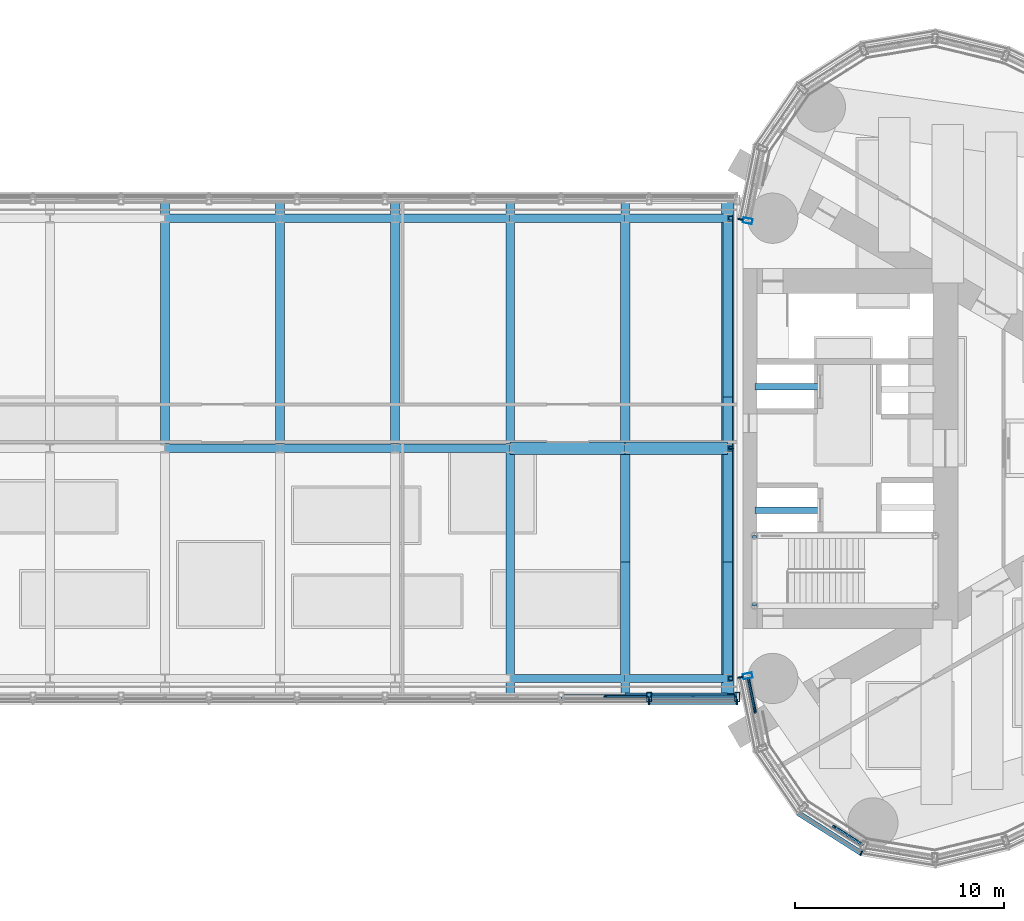
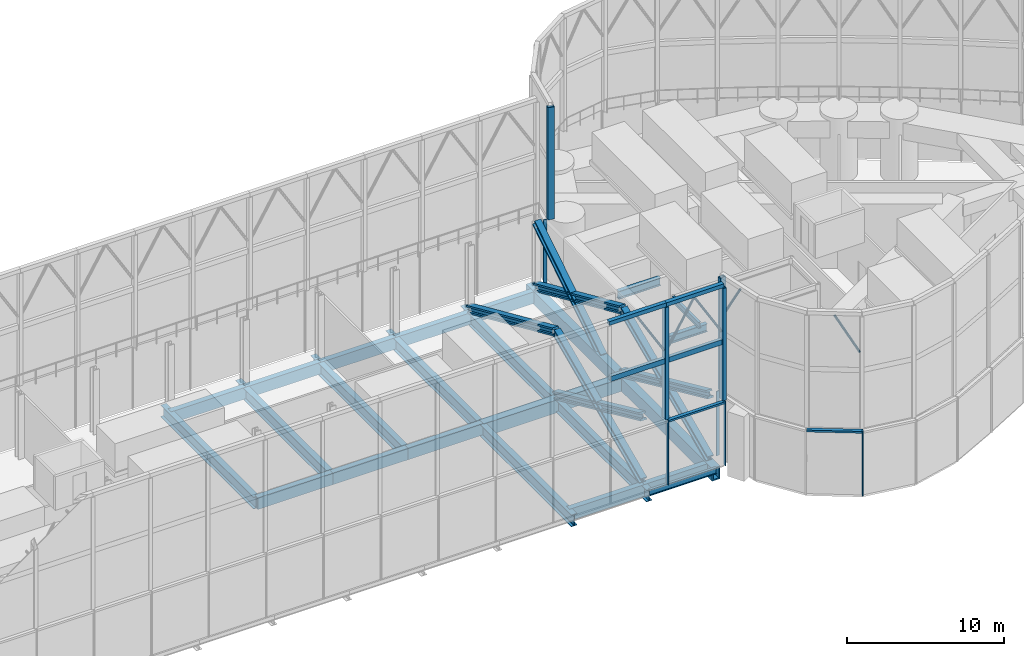
# One storey, part 15 of 33: 27 members, 25 beams, 4 elements without a shape of their own.
"""IFC4 building model written with IfcOpenShell, lengths in metres."""

from ifc_helpers import new_model, si_unit, direction, frame, origin, origin_2d, place, context, subcontext, project, spatial, rectangle, hollow_rectangle, hollow_circle, i_section, extrude, material, material_profile, profile_set, type_object, element, aggregate, save


model = new_model("IFC4")

# Units and contexts
model_context = context("Model", 3, precision=1e-05, world=origin(), true_north=direction((0.0, 1.0)))
body_context = subcontext(model_context, "Body", "Model", "MODEL_VIEW")
ifc_project = project(units=[si_unit("LENGTHUNIT", "METRE"), si_unit("AREAUNIT", "SQUARE_METRE"), si_unit("VOLUMEUNIT", "CUBIC_METRE"), si_unit("PLANEANGLEUNIT", "RADIAN"), si_unit("MASSUNIT", "GRAM", prefix="KILO")], contexts=[model_context])

# Site, building, storey
site_placement = place(None, origin())
site = spatial("IfcSite", under=ifc_project, at=site_placement, CompositionType="ELEMENT")
building_placement = place(site_placement, origin())
building = spatial("IfcBuilding", under=site, at=building_placement, Name="Lancet Gate Hotel", CompositionType="ELEMENT")
storey_placement = place(building_placement, frame((0.0, 0.0, 268.300048828125)))
storey = spatial("IfcBuildingStorey", under=building, at=storey_placement, Name="L70", CompositionType="ELEMENT", Elevation=268.300048828125)

# Curtain wall, members
ifc_material_1 = material(Name="Aluminium curtain wall", Category="aluminium")
curtain_wall_type_1 = type_object("IfcCurtainWallType", Name="Lantern crown glazing", PredefinedType="USERDEFINED", material=ifc_material_1)
curtain_wall_1_placement = place(storey_placement, origin())
curtain_wall_1 = element("IfcCurtainWall", 1, at=curtain_wall_1_placement, inside=storey, type_object=curtain_wall_type_1, Name="T2 L70 curtain wall 1", ObjectType="LANTERN GLAZING", PredefinedType="USERDEFINED")
ifc_material_2 = material(Name="Aluminium mullion", Category="aluminium")
ifc_material_profile_1 = material_profile(ifc_material_2, rectangle(XDim=0.06494140625, YDim=0.25, at=origin_2d()), Name="MULLION 65x250")
ifc_profile_set_1 = profile_set([ifc_material_profile_1], Name="Aluminium mullion")
member_type_1 = type_object("IfcMemberType", Name="Aluminium mullion 65x250", PredefinedType="MULLION", material=ifc_profile_set_1)
member_1_placement = place(storey_placement, frame((27.5, -10.947998046875, 0.0), z_axis=(0.0, 0.0, 1.0), x_axis=(0.199533486841, -0.979891008036, 0.0)))
member_1 = element("IfcMember", 2, at=member_1_placement, type_object=member_type_1, Name="T2 L70 curtain wall 1 mullion 1", PredefinedType="MULLION", context=body_context, shape_type="SweptSolid", body=[
    extrude(rectangle(XDim=0.06494140625, YDim=0.25, at=origin_2d()), origin(), (0.0, 0.0, 1.0), 5.0),
])
member_2_placement = place(storey_placement, frame((33.283203125, -19.353515625, 0.0), z_axis=(0.0, 0.0, 1.0), x_axis=(0.93394321776, -0.357421412343, 0.0)))
member_2 = element("IfcMember", 3, at=member_2_placement, type_object=member_type_1, Name="T2 L70 curtain wall 1 mullion 4", PredefinedType="MULLION", context=body_context, shape_type="SweptSolid", body=[
    extrude(rectangle(XDim=0.06494140625, YDim=0.25, at=origin_2d()), origin(), (0.0, 0.0, 1.0), 5.0),
])
member_3_placement = place(storey_placement, frame((27.5, 10.947998046875, 0.0), z_axis=(0.0, 0.0, 1.0), x_axis=(-0.199533486841, -0.979891008036, 0.0)))
member_3 = element("IfcMember", 4, at=member_3_placement, type_object=member_type_1, Name="T2 L70 curtain wall 1 mullion 27", PredefinedType="MULLION", context=body_context, shape_type="SweptSolid", body=[
    extrude(rectangle(XDim=0.06494140625, YDim=0.25, at=origin_2d()), origin(), (0.0, 0.0, 1.0), 5.0),
])

curtain_wall_2_placement = place(storey_placement, origin())
curtain_wall_2 = element("IfcCurtainWall", 5, at=curtain_wall_2_placement, inside=storey, type_object=curtain_wall_type_1, Name="Bridge block L70 curtain wall S", ObjectType="LANTERN GLAZING", PredefinedType="USERDEFINED")
member_4_placement = place(storey_placement, frame((23.142333984375, -12.1201171875, 0.0), z_axis=(0.0, 0.0, 1.0), x_axis=(1.0, 0.0, 0.0)))
member_4 = element("IfcMember", 6, at=member_4_placement, type_object=member_type_1, Name="Bridge block L70 curtain wall S mullion 13", PredefinedType="MULLION", context=body_context, shape_type="SweptSolid", body=[
    extrude(rectangle(XDim=0.06494140625, YDim=0.25, at=origin_2d()), origin(), (0.0, 0.0, 1.0), 5.0),
])
member_5_placement = place(storey_placement, frame((27.35009765625, -12.1201171875, 0.0), z_axis=(0.0, 0.0, 1.0), x_axis=(1.0, 0.0, 0.0)))
member_5 = element("IfcMember", 7, at=member_5_placement, type_object=member_type_1, Name="Bridge block L70 curtain wall S mullion 14", PredefinedType="MULLION", context=body_context, shape_type="SweptSolid", body=[
    extrude(rectangle(XDim=0.06494140625, YDim=0.25, at=origin_2d()), origin(), (0.0, 0.0, 1.0), 5.0),
])

# Member
ifc_material_3 = material(Name="Aluminium transom", Category="aluminium")
ifc_material_profile_2 = material_profile(ifc_material_3, rectangle(XDim=0.25, YDim=0.14990234375, at=origin_2d()), Name="TRANSOM 250x150")
ifc_profile_set_2 = profile_set([ifc_material_profile_2], Name="Aluminium transom")
member_type_2 = type_object("IfcMemberType", Name="Aluminium transom 250x150", PredefinedType="USERDEFINED", material=ifc_profile_set_2)
member_6_placement = place(storey_placement, frame((30.27978515625, -17.44384765625, 4.925048828125), z_axis=(0.84385811281, -0.536566384938, 0.0), x_axis=(0.536566384938, 0.84385811281, 0.0)))
member_6 = element("IfcMember", 8, at=member_6_placement, type_object=member_type_2, Name="T2 L70 curtain wall 1 transom 3", ObjectType="TRANSOM", PredefinedType="USERDEFINED", context=body_context, shape_type="SweptSolid", body=[
    extrude(rectangle(XDim=0.25, YDim=0.14990234375, at=origin_2d()), origin(), (0.0, 0.0, 1.0), 3.52685546875),
])

aggregate(curtain_wall_1, [member_1, member_2, member_3, member_6])

member_7_placement = place(storey_placement, frame((23.1748046875, -12.1201171875, 4.925048828125), z_axis=(1.0, 0.0, 0.0), x_axis=(0.0, 1.0, 0.0)))
member_7 = element("IfcMember", 9, at=member_7_placement, type_object=member_type_2, Name="Bridge block L70 curtain wall S transom 13", ObjectType="TRANSOM", PredefinedType="USERDEFINED", context=body_context, shape_type="SweptSolid", body=[
    extrude(rectangle(XDim=0.25, YDim=0.14990234375, at=origin_2d()), origin(), (0.0, 0.0, 1.0), 4.142578125),
])

aggregate(curtain_wall_2, [member_4, member_5, member_7])

# Members
ifc_material_4 = material(Name="Steel S460", Category="steel")
ifc_material_profile_3 = material_profile(ifc_material_4, i_section(OverallWidth=0.4541015625, OverallDepth=0.569091796875, WebThickness=0.077880859375, FlangeThickness=0.125, FilletRadius=0.02001953125, at=origin_2d()), Name="HD 400x1086")
ifc_profile_set_3 = profile_set([ifc_material_profile_3], Name="Steel S460")
member_type_3 = type_object("IfcMemberType", Name="Block brace HD 400x1086", PredefinedType="BRACE", material=ifc_profile_set_3)
member_8_placement = place(storey_placement, frame((26.89990234375, -11.0, 0.0), z_axis=(0.0, 0.913471794333, 0.406902053273), x_axis=(-1.0, 0.0, 0.0)))
element("IfcMember", 10, at=member_8_placement, inside=storey, type_object=member_type_3, Name="Block brace EY11 L70", PredefinedType="BRACE", context=body_context, shape_type="SweptSolid", body=[
    extrude(i_section(OverallWidth=0.4541015625, OverallDepth=0.569091796875, WebThickness=0.077880859375, FlangeThickness=0.125, FilletRadius=0.02001953125, at=origin_2d()), origin(), (0.0, 0.0, 1.0), 12.0419921875),
])
member_9_placement = place(storey_placement, frame((26.89990234375, 0.0, 0.0), z_axis=(0.0, -0.910366477463, 0.413802944301), x_axis=(1.0, 0.0, 0.0)))
element("IfcMember", 11, at=member_9_placement, inside=storey, type_object=member_type_3, Name="Block brace EY12 L70", PredefinedType="BRACE", context=body_context, shape_type="SweptSolid", body=[
    extrude(i_section(OverallWidth=0.4541015625, OverallDepth=0.569091796875, WebThickness=0.077880859375, FlangeThickness=0.125, FilletRadius=0.02001953125, at=origin_2d()), origin(), (0.0, 0.0, 1.0), 12.0830078125),
])
for number, where, z_axis, x_axis, name in (
    (12, (26.89990234375, 11.0, 0.0), (0.0, -0.913471794333, 0.406902053273), (1.0, 0.0, 0.0), "Block brace EY22 L70"),
    (13, (22.0, -11.0, 0.0), (0.0, 0.913471794333, 0.406902053273), (-1.0, 0.0, 0.0), "Block brace EI11 L70"),
):
    element("IfcMember", number, at=place(storey_placement, frame(where, z_axis=z_axis, x_axis=x_axis)), inside=storey, type_object=member_type_3, Name=name, PredefinedType="BRACE", context=body_context, shape_type="SweptSolid", body=[
        extrude(i_section(OverallWidth=0.4541015625, OverallDepth=0.569091796875, WebThickness=0.077880859375, FlangeThickness=0.125, FilletRadius=0.02001953125, at=origin_2d()), origin(), (0.0, 0.0, 1.0), 12.0419921875),
    ])
member_10_placement = place(storey_placement, frame((22.0, 0.0, 0.0), z_axis=(0.0, -0.910366477463, 0.413802944301), x_axis=(1.0, 0.0, 0.0)))
element("IfcMember", 14, at=member_10_placement, inside=storey, type_object=member_type_3, Name="Block brace EI12 L70", PredefinedType="BRACE", context=body_context, shape_type="SweptSolid", body=[
    extrude(i_section(OverallWidth=0.4541015625, OverallDepth=0.569091796875, WebThickness=0.077880859375, FlangeThickness=0.125, FilletRadius=0.02001953125, at=origin_2d()), origin(), (0.0, 0.0, 1.0), 12.0830078125),
])
member_11_placement = place(storey_placement, frame((22.0, 11.0, 0.0), z_axis=(0.0, -0.913471794333, 0.406902053273), x_axis=(1.0, 0.0, 0.0)))
element("IfcMember", 15, at=member_11_placement, inside=storey, type_object=member_type_3, Name="Block brace EI22 L70", PredefinedType="BRACE", context=body_context, shape_type="SweptSolid", body=[
    extrude(i_section(OverallWidth=0.4541015625, OverallDepth=0.569091796875, WebThickness=0.077880859375, FlangeThickness=0.125, FilletRadius=0.02001953125, at=origin_2d()), origin(), (0.0, 0.0, 1.0), 12.0419921875),
])
member_12_placement = place(storey_placement, frame((26.89990234375, 2.60009765625, -0.300048828125), z_axis=(0.0, 0.845723043987, 0.533622088064), x_axis=(-1.0, 0.0, 0.0)))
element("IfcMember", 16, at=member_12_placement, inside=storey, type_object=member_type_3, Name="Block brace EY23 L70", PredefinedType="BRACE", context=body_context, shape_type="SweptSolid", body=[
    extrude(i_section(OverallWidth=0.4541015625, OverallDepth=0.569091796875, WebThickness=0.077880859375, FlangeThickness=0.125, FilletRadius=0.02001953125, at=origin_2d()), origin(), (0.0, 0.0, 1.0), 9.93212890625),
])

# Beams
ifc_material_5 = material(Name="Steel S355", Category="steel")
ifc_material_profile_4 = material_profile(ifc_material_5, i_section(OverallWidth=0.19140625, OverallDepth=0.4599609375, WebThickness=0.010009765625, FlangeThickness=0.01611328125, FilletRadius=0.01025390625, at=origin_2d()), Name="UKB 457x191x82")
ifc_profile_set_4 = profile_set([ifc_material_profile_4], Name="Steel S355")
beam_type_1 = type_object("IfcBeamType", Name="Block edge beam UKB 457x191x82", PredefinedType="SPANDREL", material=ifc_profile_set_4)
beam_1_placement = place(storey_placement, frame((22.0, -11.800048828125, -0.429931640625), z_axis=(1.0, 0.0, 0.0), x_axis=(0.0, 1.0, 0.0)))
element("IfcBeam", 17, at=beam_1_placement, inside=storey, type_object=beam_type_1, Name="Block edge beam S 9-10 L70", PredefinedType="SPANDREL", context=body_context, shape_type="SweptSolid", body=[
    extrude(i_section(OverallWidth=0.19140625, OverallDepth=0.4599609375, WebThickness=0.010009765625, FlangeThickness=0.01611328125, FilletRadius=0.01025390625, at=origin_2d()), origin(), (0.0, 0.0, 1.0), 4.89990234375),
])
ifc_material_6 = material(Name="Steel S460QL", Category="steel")
ifc_material_profile_5 = material_profile(ifc_material_6, hollow_rectangle(XDim=0.60009765625, YDim=1.0, WallThickness=0.10009765625, at=origin_2d()), Name="BOX 1000x600x100")
ifc_profile_set_5 = profile_set([ifc_material_profile_5], Name="Steel S460QL")
beam_type_2 = type_object("IfcBeamType", Name="Block end beam BOX 1000x600x100", PredefinedType="BEAM", material=ifc_profile_set_5)
for number, where, z_axis, x_axis, name in (
    (18, (26.89990234375, -11.800048828125, -0.699951171875), (0.0, 1.0, 0.0), (-1.0, 0.0, 0.0), "Block beam x10 S L70"),
    (19, (26.89990234375, 0.0, -0.699951171875), (0.0, 1.0, 0.0), (-1.0, 0.0, 0.0), "Block beam x10 N L70"),
):
    element("IfcBeam", number, at=place(storey_placement, frame(where, z_axis=z_axis, x_axis=x_axis)), inside=storey, type_object=beam_type_2, Name=name, PredefinedType="BEAM", context=body_context, shape_type="SweptSolid", body=[
        extrude(hollow_rectangle(XDim=0.60009765625, YDim=1.0, WallThickness=0.10009765625, at=origin_2d()), origin(), (0.0, 0.0, 1.0), 11.800048828125),
    ])
ifc_material_7 = material(Name="Steel S355", Category="steel")
ifc_material_profile_6 = material_profile(ifc_material_7, i_section(OverallWidth=0.42041015625, OverallDepth=0.9208984375, WebThickness=0.021484375, FlangeThickness=0.03662109375, FilletRadius=0.024169921875, at=origin_2d()), Name="UKB 914x419x388")
ifc_profile_set_6 = profile_set([ifc_material_profile_6], Name="Steel S355")
beam_type_3 = type_object("IfcBeamType", Name="Block plant floor beam UKB 914x419x388", PredefinedType="JOIST", material=ifc_profile_set_6)
for number, where, z_axis, x_axis, name in (
    (20, (0.0, 0.0, -0.66064453125), (0.0, 1.0, 0.0), (-1.0, 0.0, 0.0), "Block beam x5 N L70"),
    (21, (5.5, 0.0, -0.66064453125), (0.0, 1.0, 0.0), (-1.0, 0.0, 0.0), "Block beam x6 N L70"),
    (22, (11.0, 0.0, -0.66064453125), (0.0, 1.0, 0.0), (-1.0, 0.0, 0.0), "Block beam x7 N L70"),
    (23, (16.5, -11.800048828125, -0.66064453125), (0.0, 1.0, 0.0), (-1.0, 0.0, 0.0), "Block beam x8 S L70"),
    (24, (16.5, 0.0, -0.66064453125), (0.0, 1.0, 0.0), (-1.0, 0.0, 0.0), "Block beam x8 N L70"),
    (25, (22.0, -11.800048828125, -0.66064453125), (0.0, 1.0, 0.0), (-1.0, 0.0, 0.0), "Block beam x9 S L70"),
    (26, (22.0, 0.0, -0.66064453125), (0.0, 1.0, 0.0), (-1.0, 0.0, 0.0), "Block beam x9 N L70"),
):
    element("IfcBeam", number, at=place(storey_placement, frame(where, z_axis=z_axis, x_axis=x_axis)), inside=storey, type_object=beam_type_3, Name=name, PredefinedType="JOIST", context=body_context, shape_type="SweptSolid", body=[
        extrude(i_section(OverallWidth=0.42041015625, OverallDepth=0.9208984375, WebThickness=0.021484375, FlangeThickness=0.03662109375, FilletRadius=0.024169921875, at=origin_2d()), origin(), (0.0, 0.0, 1.0), 11.800048828125),
    ])
ifc_material_8 = material(Name="Steel S460QL", Category="steel")
ifc_material_profile_7 = material_profile(ifc_material_8, hollow_rectangle(XDim=0.60009765625, YDim=1.0, WallThickness=0.080078125, at=origin_2d()), Name="BOX 1000x600x80")
ifc_profile_set_7 = profile_set([ifc_material_profile_7], Name="Steel S460QL")
beam_type_4 = type_object("IfcBeamType", Name="Block primary beam BOX 1000x600x80", PredefinedType="BEAM", material=ifc_profile_set_7)
beam_2_placement = place(storey_placement, frame((16.5, 0.0, -0.699951171875), z_axis=(1.0, 0.0, 0.0), x_axis=(0.0, 1.0, 0.0)))
element("IfcBeam", 27, at=beam_2_placement, inside=storey, type_object=beam_type_4, Name="Block primary beam M 9 L70", PredefinedType="BEAM", context=body_context, shape_type="SweptSolid", body=[
    extrude(hollow_rectangle(XDim=0.60009765625, YDim=1.0, WallThickness=0.080078125, at=origin_2d()), origin(), (0.0, 0.0, 1.0), 5.5),
])
beam_3_placement = place(storey_placement, frame((22.0, 0.0, -0.699951171875), z_axis=(1.0, 0.0, 0.0), x_axis=(0.0, 1.0, 0.0)))
element("IfcBeam", 28, at=beam_3_placement, inside=storey, type_object=beam_type_4, Name="Block primary beam M 10 L70", PredefinedType="BEAM", context=body_context, shape_type="SweptSolid", body=[
    extrude(hollow_rectangle(XDim=0.60009765625, YDim=1.0, WallThickness=0.080078125, at=origin_2d()), origin(), (0.0, 0.0, 1.0), 4.89990234375),
])
ifc_material_9 = material(Name="Steel S355", Category="steel")
ifc_material_profile_8 = material_profile(ifc_material_9, hollow_rectangle(XDim=0.39990234375, YDim=0.89990234375, WallThickness=0.0400390625, at=origin_2d()), Name="BOX 900x400x40")
ifc_profile_set_8 = profile_set([ifc_material_profile_8], Name="Steel S355")
beam_type_5 = type_object("IfcBeamType", Name="Block primary beam BOX 900x400x40", PredefinedType="BEAM", material=ifc_profile_set_8)
beam_4_placement = place(storey_placement, frame((16.5, -11.0, -0.650146484375), z_axis=(1.0, 0.0, 0.0), x_axis=(0.0, 1.0, 0.0)))
element("IfcBeam", 29, at=beam_4_placement, inside=storey, type_object=beam_type_5, Name="Block primary beam S 9 L70", PredefinedType="BEAM", context=body_context, shape_type="SweptSolid", body=[
    extrude(hollow_rectangle(XDim=0.39990234375, YDim=0.89990234375, WallThickness=0.0400390625, at=origin_2d()), origin(), (0.0, 0.0, 1.0), 5.5),
])
beam_5_placement = place(storey_placement, frame((22.0, -11.0, -0.650146484375), z_axis=(1.0, 0.0, 0.0), x_axis=(0.0, 1.0, 0.0)))
element("IfcBeam", 30, at=beam_5_placement, inside=storey, type_object=beam_type_5, Name="Block primary beam S 10 L70", PredefinedType="BEAM", context=body_context, shape_type="SweptSolid", body=[
    extrude(hollow_rectangle(XDim=0.39990234375, YDim=0.89990234375, WallThickness=0.0400390625, at=origin_2d()), origin(), (0.0, 0.0, 1.0), 4.89990234375),
])
for number, where, z_axis, x_axis, name in (
    (31, (0.0, 0.0, -0.650146484375), (1.0, 0.0, 0.0), (0.0, 1.0, 0.0), "Block primary beam M 6 L70"),
    (32, (5.5, 0.0, -0.650146484375), (1.0, 0.0, 0.0), (0.0, 1.0, 0.0), "Block primary beam M 7 L70"),
    (33, (11.0, 0.0, -0.650146484375), (1.0, 0.0, 0.0), (0.0, 1.0, 0.0), "Block primary beam M 8 L70"),
    (34, (0.0, 11.0, -0.650146484375), (1.0, 0.0, 0.0), (0.0, 1.0, 0.0), "Block primary beam N 6 L70"),
    (35, (5.5, 11.0, -0.650146484375), (1.0, 0.0, 0.0), (0.0, 1.0, 0.0), "Block primary beam N 7 L70"),
    (36, (11.0, 11.0, -0.650146484375), (1.0, 0.0, 0.0), (0.0, 1.0, 0.0), "Block primary beam N 8 L70"),
    (37, (16.5, 11.0, -0.650146484375), (1.0, 0.0, 0.0), (0.0, 1.0, 0.0), "Block primary beam N 9 L70"),
):
    element("IfcBeam", number, at=place(storey_placement, frame(where, z_axis=z_axis, x_axis=x_axis)), inside=storey, type_object=beam_type_5, Name=name, PredefinedType="BEAM", context=body_context, shape_type="SweptSolid", body=[
        extrude(hollow_rectangle(XDim=0.39990234375, YDim=0.89990234375, WallThickness=0.0400390625, at=origin_2d()), origin(), (0.0, 0.0, 1.0), 5.5),
    ])
beam_6_placement = place(storey_placement, frame((22.0, 11.0, -0.650146484375), z_axis=(1.0, 0.0, 0.0), x_axis=(0.0, 1.0, 0.0)))
element("IfcBeam", 38, at=beam_6_placement, inside=storey, type_object=beam_type_5, Name="Block primary beam N 10 L70", PredefinedType="BEAM", context=body_context, shape_type="SweptSolid", body=[
    extrude(hollow_rectangle(XDim=0.39990234375, YDim=0.89990234375, WallThickness=0.0400390625, at=origin_2d()), origin(), (0.0, 0.0, 1.0), 4.89990234375),
])
ifc_material_10 = material(Name="Steel S355", Category="steel")
ifc_material_profile_9 = material_profile(ifc_material_10, i_section(OverallWidth=0.19140625, OverallDepth=0.4599609375, WebThickness=0.010009765625, FlangeThickness=0.01611328125, FilletRadius=0.01025390625, at=origin_2d()), Name="UKB 457x191x82")
ifc_profile_set_9 = profile_set([ifc_material_profile_9], Name="Steel S355")
beam_type_6 = type_object("IfcBeamType", Name="Head-house beam UKB 457x191x82", PredefinedType="BEAM", material=ifc_profile_set_9)
beam_7_placement = place(storey_placement, frame((28.175048828125, -7.52490234375, 7.77001953125), z_axis=(0.0, 1.0, 0.0), x_axis=(-1.0, 0.0, 0.0)))
element("IfcBeam", 39, at=beam_7_placement, inside=storey, type_object=beam_type_6, Name="T2 head-house beam front", PredefinedType="BEAM", context=body_context, shape_type="SweptSolid", body=[
    extrude(i_section(OverallWidth=0.19140625, OverallDepth=0.4599609375, WebThickness=0.010009765625, FlangeThickness=0.01611328125, FilletRadius=0.01025390625, at=origin_2d()), origin(), (0.0, 0.0, 1.0), 3.349853515625),
])

# Curtain wall, members
ifc_material_11 = material(Name="Steel framed lantern screen", Category="steel")
curtain_wall_type_2 = type_object("IfcCurtainWallType", Name="Lantern screen", PredefinedType="USERDEFINED", material=ifc_material_11)
curtain_wall_3_placement = place(storey_placement, origin())
curtain_wall_3 = element("IfcCurtainWall", 40, at=curtain_wall_3_placement, inside=storey, type_object=curtain_wall_type_2, Name="Bridge block lantern screen S", ObjectType="LANTERN SCREEN", PredefinedType="USERDEFINED")
ifc_material_12 = material(Name="Steel S355", Category="steel")
ifc_material_profile_10 = material_profile(ifc_material_12, hollow_rectangle(XDim=0.300048828125, YDim=0.300048828125, WallThickness=0.012451171875, at=origin_2d()), Name="RHS 300x300x12.5")
ifc_profile_set_10 = profile_set([ifc_material_profile_10], Name="Steel S355")
member_type_4 = type_object("IfcMemberType", Name="Lantern cap beam RHS 300x300x12.5", PredefinedType="USERDEFINED", material=ifc_profile_set_10)
member_13_placement = place(storey_placement, frame((18.9345703125, -11.8798828125, 13.849853515625), z_axis=(1.0, 0.0, 0.0), x_axis=(0.0, 1.0, 0.0)))
member_13 = element("IfcMember", 41, at=member_13_placement, type_object=member_type_4, Name="Bridge block lantern screen S cap 12", ObjectType="LANTERN FRAME", PredefinedType="USERDEFINED", context=body_context, shape_type="SweptSolid", body=[
    extrude(hollow_rectangle(XDim=0.300048828125, YDim=0.300048828125, WallThickness=0.012451171875, at=origin_2d()), origin(), (0.0, 0.0, 1.0), 4.207763671875),
])
member_14_placement = place(storey_placement, frame((23.142333984375, -11.8798828125, 13.849853515625), z_axis=(1.0, 0.0, 0.0), x_axis=(0.0, 1.0, 0.0)))
member_14 = element("IfcMember", 42, at=member_14_placement, type_object=member_type_4, Name="Bridge block lantern screen S cap 13", ObjectType="LANTERN FRAME", PredefinedType="USERDEFINED", context=body_context, shape_type="SweptSolid", body=[
    extrude(hollow_rectangle(XDim=0.300048828125, YDim=0.300048828125, WallThickness=0.012451171875, at=origin_2d()), origin(), (0.0, 0.0, 1.0), 4.207763671875),
])

curtain_wall_4_placement = place(storey_placement, origin())
curtain_wall_4 = element("IfcCurtainWall", 43, at=curtain_wall_4_placement, inside=storey, type_object=curtain_wall_type_2, Name="T2 lantern screen 1", ObjectType="LANTERN SCREEN", PredefinedType="USERDEFINED")
ifc_material_13 = material(Name="Steel S355", Category="steel")
ifc_material_profile_11 = material_profile(ifc_material_13, hollow_rectangle(XDim=0.25, YDim=0.449951171875, WallThickness=0.01611328125, at=origin_2d()), Name="RHS 450x250x16")
ifc_profile_set_11 = profile_set([ifc_material_profile_11], Name="Steel S355")
member_type_5 = type_object("IfcMemberType", Name="Lantern frame post RHS 450x250x16", PredefinedType="USERDEFINED", material=ifc_profile_set_11)
member_15_placement = place(storey_placement, frame((27.852783203125, -10.876220703125, 5.0), z_axis=(0.0, 0.0, 1.0), x_axis=(0.199533486841, -0.979891008036, 0.0)))
member_15 = element("IfcMember", 44, at=member_15_placement, type_object=member_type_5, Name="T2 lantern screen 1 frame post 1", ObjectType="LANTERN FRAME", PredefinedType="USERDEFINED", context=body_context, shape_type="SweptSolid", body=[
    extrude(hollow_rectangle(XDim=0.25, YDim=0.449951171875, WallThickness=0.01611328125, at=origin_2d()), origin(), (0.0, 0.0, 1.0), 8.699951171875),
])
member_16_placement = place(storey_placement, frame((27.852783203125, 10.876220703125, 5.0), z_axis=(0.0, 0.0, 1.0), x_axis=(-0.199533486841, -0.979891008036, 0.0)))
member_16 = element("IfcMember", 45, at=member_16_placement, type_object=member_type_5, Name="T2 lantern screen 1 frame post 27", ObjectType="LANTERN FRAME", PredefinedType="USERDEFINED", context=body_context, shape_type="SweptSolid", body=[
    extrude(hollow_rectangle(XDim=0.25, YDim=0.449951171875, WallThickness=0.01611328125, at=origin_2d()), origin(), (0.0, 0.0, 1.0), 8.699951171875),
])

# Member
member_17_placement = place(storey_placement, frame((23.142333984375, -11.8798828125, 5.0), z_axis=(0.0, 0.0, 1.0), x_axis=(1.0, 0.0, 0.0)))
member_17 = element("IfcMember", 46, at=member_17_placement, type_object=member_type_5, Name="Bridge block lantern screen S frame post 13", ObjectType="LANTERN FRAME", PredefinedType="USERDEFINED", context=body_context, shape_type="SweptSolid", body=[
    extrude(hollow_rectangle(XDim=0.25, YDim=0.449951171875, WallThickness=0.01611328125, at=origin_2d()), origin(), (0.0, 0.0, 1.0), 8.699951171875),
])

member_18_placement = place(storey_placement, frame((27.35009765625, -11.8798828125, 5.0), z_axis=(0.0, 0.0, 1.0), x_axis=(1.0, 0.0, 0.0)))
member_18 = element("IfcMember", 47, at=member_18_placement, type_object=member_type_5, Name="Bridge block lantern screen S frame post 14", ObjectType="LANTERN FRAME", PredefinedType="USERDEFINED", context=body_context, shape_type="SweptSolid", body=[
    extrude(hollow_rectangle(XDim=0.25, YDim=0.449951171875, WallThickness=0.01611328125, at=origin_2d()), origin(), (0.0, 0.0, 1.0), 8.699951171875),
])

ifc_material_14 = material(Name="Steel S355", Category="steel")
ifc_material_profile_12 = material_profile(ifc_material_14, hollow_circle(Radius=0.084228515625, WallThickness=0.008056640625, at=origin_2d()), Name="CHS 168.3x8.0")
ifc_profile_set_12 = profile_set([ifc_material_profile_12], Name="Steel S355")
member_type_6 = type_object("IfcMemberType", Name="Lantern lancet head CHS 168.3x8", PredefinedType="USERDEFINED", material=ifc_profile_set_12)
member_19_placement = place(storey_placement, frame((27.877685546875, -10.998779296875, 10.758544921875), z_axis=(0.09909474574, -0.486498830319, 0.868043270503), x_axis=(0.979879254151, 0.199591200419, 0.0)))
member_19 = element("IfcMember", 48, at=member_19_placement, type_object=member_type_6, Name="T2 lantern screen 1 lancet head 1A", ObjectType="LANTERN FRAME", PredefinedType="USERDEFINED", context=body_context, shape_type="SweptSolid", body=[
    extrude(hollow_circle(Radius=0.084228515625, WallThickness=0.008056640625, at=origin_2d()), origin(), (0.0, 0.0, 1.0), 3.29150390625),
])

member_20_placement = place(storey_placement, frame((33.30908203125, -18.943359375, 10.824462890625), z_axis=(-0.419184530601, 0.266526057034, 0.867898721181), x_axis=(-0.536549137532, -0.843869079309, 0.0)))
member_20 = element("IfcMember", 49, at=member_20_placement, type_object=member_type_6, Name="T2 lantern screen 1 lancet head 3B", ObjectType="LANTERN FRAME", PredefinedType="USERDEFINED", context=body_context, shape_type="SweptSolid", body=[
    extrude(hollow_circle(Radius=0.084228515625, WallThickness=0.008056640625, at=origin_2d()), origin(), (0.0, 0.0, 1.0), 3.216064453125),
])

aggregate(curtain_wall_4, [member_15, member_16, member_19, member_20])

member_21_placement = place(storey_placement, frame((23.017333984375, -11.8798828125, 10.300048828125), z_axis=(-0.512467285429, 0.0, 0.858706749342), x_axis=(0.0, -1.0, 0.0)))
member_21 = element("IfcMember", 50, at=member_21_placement, type_object=member_type_6, Name="Bridge block lantern screen S lancet head 12B", ObjectType="LANTERN FRAME", PredefinedType="USERDEFINED", context=body_context, shape_type="SweptSolid", body=[
    extrude(hollow_circle(Radius=0.084228515625, WallThickness=0.008056640625, at=origin_2d()), origin(), (0.0, 0.0, 1.0), 3.861328125),
])

member_22_placement = place(storey_placement, frame((23.267333984375, -11.8798828125, 10.300048828125), z_axis=(0.512467285429, 0.0, 0.858706749342), x_axis=(0.0, 1.0, 0.0)))
member_22 = element("IfcMember", 51, at=member_22_placement, type_object=member_type_6, Name="Bridge block lantern screen S lancet head 13A", ObjectType="LANTERN FRAME", PredefinedType="USERDEFINED", context=body_context, shape_type="SweptSolid", body=[
    extrude(hollow_circle(Radius=0.084228515625, WallThickness=0.008056640625, at=origin_2d()), origin(), (0.0, 0.0, 1.0), 3.861328125),
])

member_23_placement = place(storey_placement, frame((27.22509765625, -11.8798828125, 10.300048828125), z_axis=(-0.512513906449, 0.0, 0.858678924684), x_axis=(0.0, -1.0, 0.0)))
member_23 = element("IfcMember", 52, at=member_23_placement, type_object=member_type_6, Name="Bridge block lantern screen S lancet head 13B", ObjectType="LANTERN FRAME", PredefinedType="USERDEFINED", context=body_context, shape_type="SweptSolid", body=[
    extrude(hollow_circle(Radius=0.084228515625, WallThickness=0.008056640625, at=origin_2d()), origin(), (0.0, 0.0, 1.0), 3.861328125),
])

ifc_material_15 = material(Name="Steel S355", Category="steel")
ifc_material_profile_13 = material_profile(ifc_material_15, hollow_rectangle(XDim=0.25, YDim=0.39990234375, WallThickness=0.012451171875, at=origin_2d()), Name="RHS 400x250x12.5")
ifc_profile_set_13 = profile_set([ifc_material_profile_13], Name="Steel S355")
member_type_7 = type_object("IfcMemberType", Name="Lantern ring beam RHS 400x250x12.5", PredefinedType="USERDEFINED", material=ifc_profile_set_13)
member_24_placement = place(storey_placement, frame((19.0595703125, -11.8798828125, 9.5), z_axis=(1.0, 0.0, 0.0), x_axis=(0.0, 1.0, 0.0)))
member_24 = element("IfcMember", 53, at=member_24_placement, type_object=member_type_7, Name="Bridge block lantern screen S ring 12", ObjectType="LANTERN FRAME", PredefinedType="USERDEFINED", context=body_context, shape_type="SweptSolid", body=[
    extrude(hollow_rectangle(XDim=0.25, YDim=0.39990234375, WallThickness=0.012451171875, at=origin_2d()), origin(), (0.0, 0.0, 1.0), 3.957763671875),
])

member_25_placement = place(storey_placement, frame((23.267333984375, -11.8798828125, 9.5), z_axis=(1.0, 0.0, 0.0), x_axis=(0.0, 1.0, 0.0)))
member_25 = element("IfcMember", 54, at=member_25_placement, type_object=member_type_7, Name="Bridge block lantern screen S ring 13", ObjectType="LANTERN FRAME", PredefinedType="USERDEFINED", context=body_context, shape_type="SweptSolid", body=[
    extrude(hollow_rectangle(XDim=0.25, YDim=0.39990234375, WallThickness=0.012451171875, at=origin_2d()), origin(), (0.0, 0.0, 1.0), 3.957763671875),
])

aggregate(curtain_wall_3, [member_17, member_18, member_13, member_24, member_21, member_14, member_25, member_22, member_23])

# Beams
ifc_material_16 = material(Name="Steel S355", Category="steel")
ifc_material_profile_14 = material_profile(ifc_material_16, i_section(OverallWidth=0.3046875, OverallDepth=0.6123046875, WebThickness=0.01171875, FlangeThickness=0.019775390625, FilletRadius=0.0166015625, at=origin_2d()), Name="UKB 610x305x149")
ifc_profile_set_14 = profile_set([ifc_material_profile_14], Name="Steel S355")
beam_type_7 = type_object("IfcBeamType", Name="Lift lifting beam UKB 610x305x149", PredefinedType="BEAM", material=ifc_profile_set_14)
for number, where, z_axis, x_axis, name in (
    (55, (28.199951171875, -2.949951171875, 3.793701171875), (1.0, 0.0, 0.0), (0.0, 1.0, 0.0), "T2 lifting beam SL1"),
    (56, (28.199951171875, 2.949951171875, 3.793701171875), (1.0, 0.0, 0.0), (0.0, 1.0, 0.0), "T2 lifting beam FL2"),
):
    element("IfcBeam", number, at=place(storey_placement, frame(where, z_axis=z_axis, x_axis=x_axis)), inside=storey, type_object=beam_type_7, Name=name, PredefinedType="BEAM", context=body_context, shape_type="SweptSolid", body=[
        extrude(i_section(OverallWidth=0.3046875, OverallDepth=0.6123046875, WebThickness=0.01171875, FlangeThickness=0.019775390625, FilletRadius=0.0166015625, at=origin_2d()), origin(), (0.0, 0.0, 1.0), 3.10009765625),
    ])

save(model, "model.ifc")
